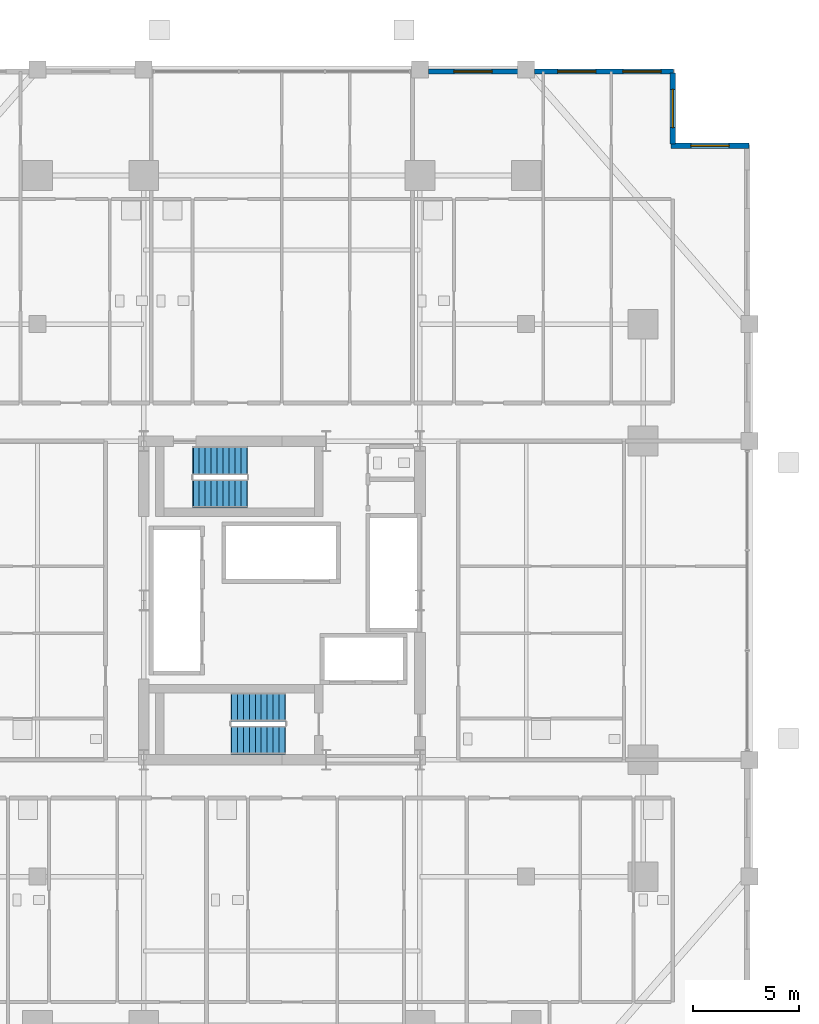
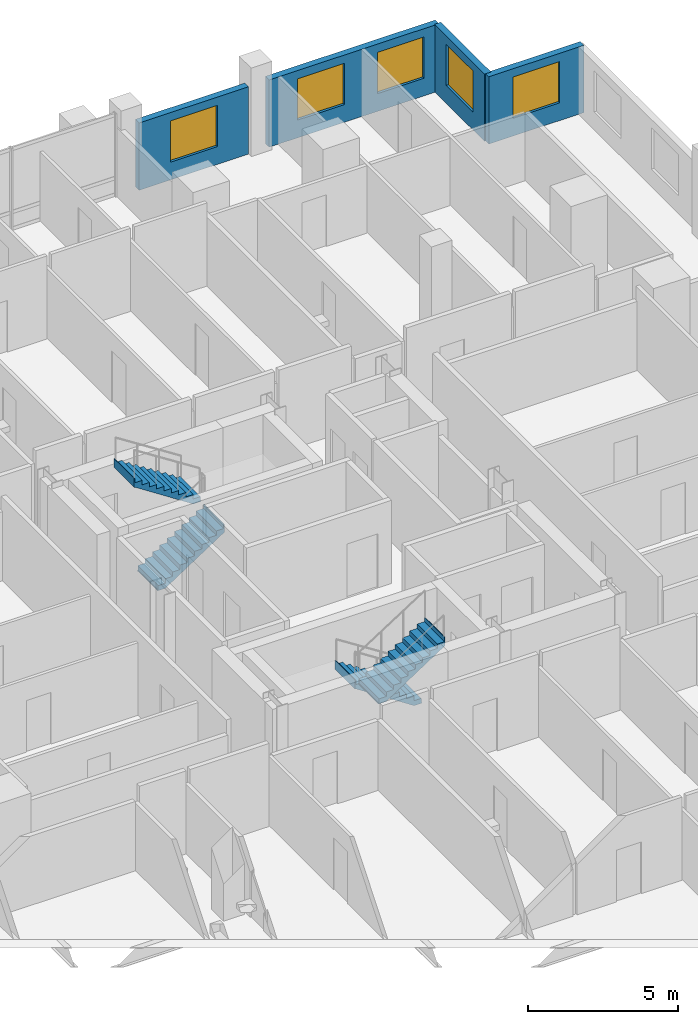
# One storey, part 22 of 24: 5 windows, 4 stair flights, 4 walls, 5 openings, 2 elements without a shape of their own.
"""IFC4 building model written with IfcOpenShell, lengths in metres."""

import ifcopenshell
import ifcopenshell.guid

model = None  # the IFC model being written
_history = None  # IfcOwnerHistory: only IFC2X3 demands one
_inside = {}  # id of a spatial element -> (the spatial element, [elements in it])
_under = {}  # id of a project, library or spatial element -> (it, [spatial elements below it])
_declared = {}  # id of a project -> (the project, [libraries it declares])
_typed = {}  # id of a type object -> (the type object, [elements of that type])
_made_of = {}  # id of a material, layer set ... -> (it, [elements and type objects made of it])


def new_model(schema):
    """Start an empty IFC model of exactly this schema.

    Asked for "IFC4X3", IfcOpenShell would pick the latest addendum, in which some entities
    have other attributes; the version numbers below select the first issue.
    IFC2X3 requires an IfcOwnerHistory on every rooted entity: one is made here for all.
    """
    global model, _history
    if schema == "IFC4X3":
        model = ifcopenshell.file(schema_version=(4, 3, 0, 0))
    else:
        model = ifcopenshell.file(schema=schema)
    _inside.clear()
    _under.clear()
    _declared.clear()
    _typed.clear()
    _made_of.clear()
    _history = None
    if model.schema == "IFC2X3":
        org = make("IfcOrganization", Name="unknown")
        user = make(
            "IfcPersonAndOrganization",
            ThePerson=make("IfcPerson", FamilyName="unknown"),
            TheOrganization=org,
        )
        app = make(
            "IfcApplication",
            ApplicationDeveloper=org,
            Version="unknown",
            ApplicationFullName="unknown",
            ApplicationIdentifier="unknown",
        )
        _history = make(
            "IfcOwnerHistory",
            OwningUser=user,
            OwningApplication=app,
            ChangeAction="ADDED",
            CreationDate=0,
        )
    return model


def make(cls, **values):
    """One entity of the class cls with the attributes given. An attribute that is None is left unset."""
    return model.create_entity(
        cls, **{name: value for name, value in values.items() if value is not None}
    )


def rooted(cls, **values):
    """An entity with a GlobalId (a new one), such as an element, a storey or a relation."""
    return make(cls, GlobalId=ifcopenshell.guid.new(), OwnerHistory=_history, **values)


def si_unit(unit_type, name, prefix=None):
    """IfcSIUnit, for example si_unit("LENGTHUNIT", "METRE", prefix="MILLI")."""
    return make("IfcSIUnit", UnitType=unit_type, Prefix=prefix, Name=name)


def assignment(units):
    """IfcUnitAssignment: the units of a project."""
    return None if units is None else make("IfcUnitAssignment", Units=units)


def point(xyz):
    """IfcCartesianPoint."""
    return None if xyz is None else make("IfcCartesianPoint", Coordinates=xyz)


def direction(xyz):
    """IfcDirection."""
    return None if xyz is None else make("IfcDirection", DirectionRatios=xyz)


def frame(location, z_axis=None, x_axis=None):
    """IfcAxis2Placement3D, a coordinate frame: its origin and axes. An axis left out is left unset."""
    return make(
        "IfcAxis2Placement3D",
        Location=point(location),
        Axis=direction(z_axis),
        RefDirection=direction(x_axis),
    )


def frame_2d(location, x_axis=None):
    """IfcAxis2Placement2D, a coordinate frame in the plane: its origin and x axis."""
    return make(
        "IfcAxis2Placement2D", Location=point(location), RefDirection=direction(x_axis)
    )


def origin():
    """The frame at (0, 0, 0) with its axes left unset."""
    return frame((0.0, 0.0, 0.0))


def place(relative_to, where):
    """IfcLocalPlacement: puts the frame where relative to a parent placement (None: the world)."""
    return make(
        "IfcLocalPlacement", PlacementRelTo=relative_to, RelativePlacement=where
    )


def context(
    kind, dimensions, precision=None, world=None, true_north=None, identifier=None
):
    """IfcGeometricRepresentationContext, for example the 3D "Model" context."""
    return make(
        "IfcGeometricRepresentationContext",
        ContextIdentifier=identifier,
        ContextType=kind,
        CoordinateSpaceDimension=dimensions,
        Precision=precision,
        WorldCoordinateSystem=world,
        TrueNorth=true_north,
    )


def subcontext(parent, identifier, kind, view, scale=None):
    """IfcGeometricRepresentationSubContext, for example "Body" below "Model"."""
    return make(
        "IfcGeometricRepresentationSubContext",
        ContextIdentifier=identifier,
        ContextType=kind,
        ParentContext=parent,
        TargetScale=scale,
        TargetView=view,
    )


def project(units=None, contexts=None):
    """IfcProject with its units and contexts."""
    return rooted(
        "IfcProject",
        Name="project",
        RepresentationContexts=contexts,
        UnitsInContext=assignment(units),
    )


def spatial(cls, under=None, at=None, **own):
    """A site, building, storey or space (cls), placed at a placement, below another one or the project."""
    s = rooted(cls, ObjectPlacement=at, **own)
    if under is not None:
        _under.setdefault(under.id(), (under, []))[1].append(s)
    return s


def polyline(points):
    """IfcPolyline through the points."""
    return make("IfcPolyline", Points=[point(p) for p in points])


def profile(cls, at=None, kind="AREA", **sizes):
    """A parametric profile (cls). Its sizes go by their IFC names, for example OverallWidth=200.0."""
    return make(cls, ProfileType=kind, Position=at, **sizes)


def rectangle(**sizes):
    """IfcRectangleProfileDef."""
    return profile("IfcRectangleProfileDef", **sizes)


def outline(outer, holes=None, kind="AREA"):
    """IfcArbitraryClosedProfileDef: a profile drawn as a closed curve; with holes, ...WithVoids."""
    if holes is None:
        return make("IfcArbitraryClosedProfileDef", ProfileType=kind, OuterCurve=outer)
    return make(
        "IfcArbitraryProfileDefWithVoids",
        ProfileType=kind,
        OuterCurve=outer,
        InnerCurves=holes,
    )


def extrude(swept, where, along, depth):
    """IfcExtrudedAreaSolid: the profile swept, set in the frame where, extruded along a direction by depth."""
    return make(
        "IfcExtrudedAreaSolid",
        SweptArea=swept,
        Position=where,
        ExtrudedDirection=direction(along),
        Depth=depth,
    )


def shape(context_of_items, identifier, shape_type, items):
    """IfcShapeRepresentation: the items that make up one representation, for example the "Body"."""
    return make(
        "IfcShapeRepresentation",
        ContextOfItems=context_of_items,
        RepresentationIdentifier=identifier,
        RepresentationType=shape_type,
        Items=items,
    )


def material(Name=None, Category=None):
    """IfcMaterial."""
    return make("IfcMaterial", Name=Name, Category=Category)


def layer(
    of_material, thickness, ventilated=None, Name=None, Category=None, Priority=None
):
    """IfcMaterialLayer: one layer of a wall or slab, of a material (None: an air gap)."""
    return make(
        "IfcMaterialLayer",
        Material=of_material,
        LayerThickness=thickness,
        IsVentilated=ventilated,
        Name=Name,
        Category=Category,
        Priority=Priority,
    )


def layer_set(layers, Name=None):
    """IfcMaterialLayerSet."""
    return make("IfcMaterialLayerSet", MaterialLayers=layers, LayerSetName=Name)


def made_of(thing, what):
    """Note that an element or type object is made of a material, layer set ...; save() writes the relation."""
    if what is not None:
        _made_of.setdefault(what.id(), (what, []))[1].append(thing)
    return thing


def type_object(cls, material=None, **own):
    """A type object (cls), such as IfcWallType, which elements share."""
    return made_of(rooted(cls, **own), material)


def element(
    cls,
    number,
    at=None,
    inside=None,
    cuts=None,
    type_object=None,
    material=None,
    context=None,
    identifier="Body",
    shape_type=None,
    held_by="IfcProductDefinitionShape",
    body=None,
    shapes=None,
    **own,
):
    """One element of the class cls, such as IfcWall. Its Tag is "e" and its number.

    at: its placement. inside: the storey or other place that contains it. cuts: it is an
    opening in that element (IfcRelVoidsElement). A single representation is given by context,
    identifier, shape_type and body (its items); several are given by shapes. held_by: the class
    of the entity that holds the representations. save() writes the other relations.
    """
    e = rooted(cls, Tag="e%d" % number, ObjectPlacement=at, **own)
    if body is not None:
        shapes = [shape(context, identifier, shape_type, body)]
    if shapes is not None:
        e.Representation = make(held_by, Representations=shapes)
    if inside is not None:
        _inside.setdefault(inside.id(), (inside, []))[1].append(e)
    if cuts is not None:
        rooted(
            "IfcRelVoidsElement", RelatingBuildingElement=cuts, RelatedOpeningElement=e
        )
    if type_object is not None:
        _typed.setdefault(type_object.id(), (type_object, []))[1].append(e)
    return made_of(e, material)


def fill(opening, filler):
    """IfcRelFillsElement: the door or window that sits in an opening."""
    return rooted(
        "IfcRelFillsElement",
        RelatingOpeningElement=opening,
        RelatedBuildingElement=filler,
    )


def aggregate(whole, parts):
    """IfcRelAggregates: a whole, such as a stair, and the parts it consists of."""
    return rooted("IfcRelAggregates", RelatingObject=whole, RelatedObjects=parts)


def save(model, path):
    """Write the relations noted so far, then the file.

    IfcRelAggregates (storeys below a building ...), IfcRelContainedInSpatialStructure (elements
    in a storey), IfcRelDefinesByType, IfcRelAssociatesMaterial and IfcRelDeclares: one each for
    every whole, place, type object, material and project.
    """
    for whole, parts in _under.values():
        aggregate(whole, parts)
    for where, things in _inside.values():
        rooted(
            "IfcRelContainedInSpatialStructure",
            RelatedElements=things,
            RelatingStructure=where,
        )
    for kind, things in _typed.values():
        rooted("IfcRelDefinesByType", RelatedObjects=things, RelatingType=kind)
    for what, things in _made_of.values():
        rooted("IfcRelAssociatesMaterial", RelatedObjects=things, RelatingMaterial=what)
    for by, libraries in _declared.values():
        rooted("IfcRelDeclares", RelatingContext=by, RelatedDefinitions=libraries)
    model.write(path)


model = new_model("IFC4")

# Units and contexts
model_context = context("Model", 3, precision=1e-05, world=origin(), true_north=direction((0.0, 1.0)))
body_context = subcontext(model_context, "Body", "Model", "MODEL_VIEW")
ifc_project = project(units=[si_unit("LENGTHUNIT", "METRE"), si_unit("AREAUNIT", "SQUARE_METRE"), si_unit("VOLUMEUNIT", "CUBIC_METRE"), si_unit("PLANEANGLEUNIT", "RADIAN"), si_unit("MASSUNIT", "GRAM", prefix="KILO")], contexts=[model_context])

# Site, building, storey
site_placement = place(None, origin())
site = spatial("IfcSite", under=ifc_project, at=site_placement, CompositionType="ELEMENT")
building_placement = place(site_placement, origin())
building = spatial("IfcBuilding", under=site, at=building_placement, Name="Barlavira Tower and Art Museum", CompositionType="ELEMENT")
storey_placement = place(building_placement, frame((0.0, 0.0, 43.199951171875)))
storey = spatial("IfcBuildingStorey", under=building, at=storey_placement, Name="L09", CompositionType="ELEMENT", Elevation=43.199951171875)

# Wall, openings, windows
ifc_material_1 = material(Name="Precast concrete C40", Category="concrete")
ifc_layer = layer(ifc_material_1, 0.25, Name="Precast concrete C40")
ifc_layer_set = layer_set([ifc_layer], Name="Precast concrete C40")
wall_type = type_object("IfcWallType", Name="Notched Corner Spandrel Wall 250 Precast Concrete C40", PredefinedType="SOLIDWALL", material=ifc_layer_set)
wall_1_placement = place(storey_placement, frame((18.425048828125, 24.89990234375, 0.0), z_axis=(0.0, 0.0, 1.0), x_axis=(-1.0, 0.0, 0.0)))
wall_1 = element("IfcWall", 1, at=wall_1_placement, inside=storey, type_object=wall_type, Name="L09 Coastal Facade Pier Wall CW1-L09-N-1", PredefinedType="SOLIDWALL", context=body_context, shape_type="SweptSolid", body=[
    extrude(rectangle(XDim=6.530029296875, YDim=0.25, at=frame_2d((3.26513671875, 0.0))), origin(), (0.0, 0.0, 1.0), 2.736083984375),
])
opening_1_placement = place(wall_1_placement, frame((0.572998046875, 0.0, 0.719970703125)))
opening_1 = element("IfcOpeningElement", 2, at=opening_1_placement, cuts=wall_1, Name="Opening WN-01", PredefinedType="OPENING", context=body_context, shape_type="SweptSolid", body=[
    extrude(rectangle(XDim=1.800048828125, YDim=1.679931640625, at=frame_2d((0.89990234375, 0.83984375))), frame((0.0, 0.135009765625, 0.0), z_axis=(0.0, -1.0, 0.0), x_axis=(1.0, 0.0, 0.0)), (0.0, 0.0, 1.0), 0.27001953125),
])
opening_2_placement = place(wall_1_placement, frame((3.639892578125, 0.0, 0.719970703125)))
opening_2 = element("IfcOpeningElement", 3, at=opening_2_placement, cuts=wall_1, Name="Opening WN-01", PredefinedType="OPENING", context=body_context, shape_type="SweptSolid", body=[
    extrude(rectangle(XDim=1.800048828125, YDim=1.679931640625, at=frame_2d((0.89990234375, 0.83984375))), frame((0.0, 0.135009765625, 0.0), z_axis=(0.0, -1.0, 0.0), x_axis=(1.0, 0.0, 0.0)), (0.0, 0.0, 1.0), 0.27001953125),
])
ifc_material_2 = material(Name="Low-iron coastal laminated glass", Category="glass")
window_type = type_object("IfcWindowType", Name="Recessed Notch Corner Punch Window 1800x1680", PartitioningType="SINGLE_PANEL", PredefinedType="WINDOW", material=ifc_material_2)
window_1_placement = place(opening_1_placement, origin())
window_1 = element("IfcWindow", 4, at=window_1_placement, inside=storey, type_object=window_type, Name="L09 Punched Facade Window EWP-CW1-L09-N-1-1", OverallHeight=1.679931640625, OverallWidth=1.800048828125, PartitioningType="SINGLE_PANEL", PredefinedType="WINDOW", context=body_context, shape_type="SweptSolid", body=[
    extrude(rectangle(XDim=1.800048828125, YDim=1.679931640625, at=frame_2d((0.89990234375, 0.83984375))), frame((0.0, 0.030029296875, 0.0), z_axis=(0.0, -1.0, 0.0), x_axis=(1.0, 0.0, 0.0)), (0.0, 0.0, 1.0), 0.06005859375),
])
fill(opening_1, window_1)
window_2_placement = place(opening_2_placement, origin())
window_2 = element("IfcWindow", 5, at=window_2_placement, inside=storey, type_object=window_type, Name="L09 Punched Facade Window EWP-CW1-L09-N-1-2", OverallHeight=1.679931640625, OverallWidth=1.800048828125, PartitioningType="SINGLE_PANEL", PredefinedType="WINDOW", context=body_context, shape_type="SweptSolid", body=[
    extrude(rectangle(XDim=1.800048828125, YDim=1.679931640625, at=frame_2d((0.89990234375, 0.83984375))), frame((0.0, 0.030029296875, 0.0), z_axis=(0.0, -1.0, 0.0), x_axis=(1.0, 0.0, 0.0)), (0.0, 0.0, 1.0), 0.06005859375),
])
fill(opening_2, window_2)

# Wall, opening, window
wall_2_placement = place(storey_placement, frame((11.10498046875, 24.89990234375, 0.0), z_axis=(0.0, 0.0, 1.0), x_axis=(-1.0, 0.0, 0.0)))
wall_2 = element("IfcWall", 6, at=wall_2_placement, inside=storey, type_object=wall_type, Name="L09 Coastal Facade Pier Wall CW1-L09-N-2", PredefinedType="SOLIDWALL", context=body_context, shape_type="SweptSolid", body=[
    extrude(rectangle(XDim=4.2099609375, YDim=0.25, at=frame_2d((2.10498046875, 0.0))), origin(), (0.0, 0.0, 1.0), 2.736083984375),
])
opening_3_placement = place(wall_2_placement, frame((1.205078125, 0.0, 0.719970703125)))
opening_3 = element("IfcOpeningElement", 7, at=opening_3_placement, cuts=wall_2, Name="Opening WN-01", PredefinedType="OPENING", context=body_context, shape_type="SweptSolid", body=[
    extrude(rectangle(XDim=1.800048828125, YDim=1.679931640625, at=frame_2d((0.89990234375, 0.83984375))), frame((0.0, 0.135009765625, 0.0), z_axis=(0.0, -1.0, 0.0), x_axis=(1.0, 0.0, 0.0)), (0.0, 0.0, 1.0), 0.27001953125),
])
window_3_placement = place(opening_3_placement, origin())
window_3 = element("IfcWindow", 8, at=window_3_placement, inside=storey, type_object=window_type, Name="L09 Punched Facade Window EWP-CW1-L09-N-2-1", OverallHeight=1.679931640625, OverallWidth=1.800048828125, PartitioningType="SINGLE_PANEL", PredefinedType="WINDOW", context=body_context, shape_type="SweptSolid", body=[
    extrude(rectangle(XDim=1.800048828125, YDim=1.679931640625, at=frame_2d((0.89990234375, 0.83984375))), frame((0.0, 0.030029296875, 0.0), z_axis=(0.0, -1.0, 0.0), x_axis=(1.0, 0.0, 0.0)), (0.0, 0.0, 1.0), 0.06005859375),
])
fill(opening_3, window_3)

wall_3_placement = place(storey_placement, frame((21.97998046875, 21.39990234375, 0.0), z_axis=(0.0, 0.0, 1.0), x_axis=(-1.0, 0.0, 0.0)))
wall_3 = element("IfcWall", 9, at=wall_3_placement, inside=storey, type_object=wall_type, Name="L09 Notch Corner Wall NE1", PredefinedType="SOLIDWALL", context=body_context, shape_type="SweptSolid", body=[
    extrude(rectangle(XDim=3.659912109375, YDim=0.25, at=frame_2d((1.830078125, 0.0))), origin(), (0.0, 0.0, 1.0), 2.736083984375),
])
opening_4_placement = place(wall_3_placement, frame((0.929931640625, 0.0, 0.719970703125)))
opening_4 = element("IfcOpeningElement", 10, at=opening_4_placement, cuts=wall_3, Name="Opening WN-01", PredefinedType="OPENING", context=body_context, shape_type="SweptSolid", body=[
    extrude(rectangle(XDim=1.800048828125, YDim=1.679931640625, at=frame_2d((0.89990234375, 0.83984375))), frame((0.0, 0.135009765625, 0.0), z_axis=(0.0, -1.0, 0.0), x_axis=(1.0, 0.0, 0.0)), (0.0, 0.0, 1.0), 0.27001953125),
])
window_4_placement = place(opening_4_placement, origin())
window_4 = element("IfcWindow", 11, at=window_4_placement, inside=storey, type_object=window_type, Name="L09 Punched Facade Window EW-NTC-L09-NE1-1", OverallHeight=1.679931640625, OverallWidth=1.800048828125, PartitioningType="SINGLE_PANEL", PredefinedType="WINDOW", context=body_context, shape_type="SweptSolid", body=[
    extrude(rectangle(XDim=1.800048828125, YDim=1.679931640625, at=frame_2d((0.89990234375, 0.83984375))), frame((0.0, 0.030029296875, 0.0), z_axis=(0.0, -1.0, 0.0), x_axis=(1.0, 0.0, 0.0)), (0.0, 0.0, 1.0), 0.06005859375),
])
fill(opening_4, window_4)

wall_4_placement = place(storey_placement, frame((18.39990234375, 21.47998046875, 0.0), z_axis=(0.0, 0.0, 1.0), x_axis=(0.0, 1.0, 0.0)))
wall_4 = element("IfcWall", 12, at=wall_4_placement, inside=storey, type_object=wall_type, Name="L09 Notch Corner Wall NE2", PredefinedType="SOLIDWALL", context=body_context, shape_type="SweptSolid", body=[
    extrude(rectangle(XDim=3.340087890625, YDim=0.25, at=frame_2d((1.669921875, 0.0))), origin(), (0.0, 0.0, 1.0), 2.736083984375),
])
opening_5_placement = place(wall_4_placement, frame((0.77001953125, 0.0, 0.719970703125)))
opening_5 = element("IfcOpeningElement", 13, at=opening_5_placement, cuts=wall_4, Name="Opening WN-01", PredefinedType="OPENING", context=body_context, shape_type="SweptSolid", body=[
    extrude(rectangle(XDim=1.800048828125, YDim=1.679931640625, at=frame_2d((0.89990234375, 0.83984375))), frame((0.0, 0.135009765625, 0.0), z_axis=(0.0, -1.0, 0.0), x_axis=(1.0, 0.0, 0.0)), (0.0, 0.0, 1.0), 0.27001953125),
])
window_5_placement = place(opening_5_placement, origin())
window_5 = element("IfcWindow", 14, at=window_5_placement, inside=storey, type_object=window_type, Name="L09 Punched Facade Window EW-NTC-L09-NE2-1", OverallHeight=1.679931640625, OverallWidth=1.800048828125, PartitioningType="SINGLE_PANEL", PredefinedType="WINDOW", context=body_context, shape_type="SweptSolid", body=[
    extrude(rectangle(XDim=1.800048828125, YDim=1.679931640625, at=frame_2d((0.89990234375, 0.83984375))), frame((0.0, 0.030029296875, 0.0), z_axis=(0.0, -1.0, 0.0), x_axis=(1.0, 0.0, 0.0)), (0.0, 0.0, 1.0), 0.06005859375),
])
fill(opening_5, window_5)

# Stair, stair flights
ifc_material_3 = material(Name="Concrete C45", Category="concrete")
stair_type_1 = type_object("IfcStairType", Name="Tower North Dog-Leg Exit Stair Assembly Concrete C45", PredefinedType="TWO_QUARTER_TURN_STAIR", material=ifc_material_3)
stair_1_placement = place(storey_placement, origin())
stair_1 = element("IfcStair", 15, at=stair_1_placement, inside=storey, type_object=stair_type_1, Name="L09 Tower North Exit Stair ST-T2", PredefinedType="TWO_QUARTER_TURN_STAIR")
ifc_material_4 = material(Name="Precast concrete C45", Category="concrete")
stair_flight_type_1 = type_object("IfcStairFlightType", Name="Tower North Dog-Leg Exit Stair Precast Flight 1350 Concrete C45", PredefinedType="STRAIGHT", material=ifc_material_4)
stair_flight_1_placement = place(storey_placement, frame((-4.169921875, 5.02490234375, 0.0), z_axis=(0.0, 0.0, 1.0), x_axis=(1.0, 0.0, 0.0)))
stair_flight_1 = element("IfcStairFlight", 16, at=stair_flight_1_placement, type_object=stair_flight_type_1, Name="ST-T2 flight 1", NumberOfRisers=10, NumberOfTreads=9, PredefinedType="STRAIGHT", RiserHeight=0.18, TreadLength=0.28, context=body_context, shape_type="SweptSolid", body=[
    extrude(outline(polyline([(-0.02490234375, 0.0), (0.0, 0.0), (0.0, 0.179931640625), (0.280029296875, 0.179931640625), (0.280029296875, 0.360107421875), (0.56005859375, 0.360107421875), (0.56005859375, 0.5400390625), (0.840087890625, 0.5400390625), (0.840087890625, 0.719970703125), (1.1201171875, 0.719970703125), (1.1201171875, 0.89990234375), (1.39990234375, 0.89990234375), (1.39990234375, 1.080078125), (1.679931640625, 1.080078125), (1.679931640625, 1.260009765625), (1.9599609375, 1.260009765625), (1.9599609375, 1.43994140625), (2.239990234375, 1.43994140625), (2.239990234375, 1.6201171875), (2.52001953125, 1.6201171875), (2.52001953125, 1.800048828125), (2.544921875, 1.800048828125), (2.544921875, 1.44189453125), (2.52001953125, 1.44189453125), (0.277099609375, -0.02490234375), (-0.02490234375, -0.02490234375), (-0.02490234375, 0.0)])), frame((0.0, 0.675048828125, 0.0), z_axis=(0.0, -1.0, 0.0), x_axis=(1.0, 0.0, 0.0)), (0.0, 0.0, 1.0), 1.35009765625),
])
stair_flight_2_placement = place(storey_placement, frame((-1.64990234375, 6.574951171875, 1.800048828125), z_axis=(0.0, 0.0, 1.0), x_axis=(-1.0, 0.0, 0.0)))
stair_flight_2 = element("IfcStairFlight", 17, at=stair_flight_2_placement, type_object=stair_flight_type_1, Name="ST-T2 flight 2", NumberOfRisers=10, NumberOfTreads=9, PredefinedType="STRAIGHT", RiserHeight=0.18, TreadLength=0.28, context=body_context, shape_type="SweptSolid", body=[
    extrude(outline(polyline([(-0.02490234375, 0.0), (0.0, 0.0), (0.0, 0.179931640625), (0.280029296875, 0.179931640625), (0.280029296875, 0.360107421875), (0.56005859375, 0.360107421875), (0.56005859375, 0.5400390625), (0.840087890625, 0.5400390625), (0.840087890625, 0.719970703125), (1.1201171875, 0.719970703125), (1.1201171875, 0.89990234375), (1.39990234375, 0.89990234375), (1.39990234375, 1.080078125), (1.679931640625, 1.080078125), (1.679931640625, 1.260009765625), (1.9599609375, 1.260009765625), (1.9599609375, 1.43994140625), (2.239990234375, 1.43994140625), (2.239990234375, 1.6201171875), (2.52001953125, 1.6201171875), (2.52001953125, 1.800048828125), (2.544921875, 1.800048828125), (2.544921875, 1.44189453125), (2.52001953125, 1.44189453125), (0.277099609375, -0.02490234375), (-0.02490234375, -0.02490234375), (-0.02490234375, 0.0)])), frame((0.0, 0.675048828125, 0.0), z_axis=(0.0, -1.0, 0.0), x_axis=(1.0, 0.0, 0.0)), (0.0, 0.0, 1.0), 1.35009765625),
])
aggregate(stair_1, [stair_flight_1, stair_flight_2])

stair_type_2 = type_object("IfcStairType", Name="Tower South Dog-Leg Exit Stair Assembly Concrete C45", PredefinedType="TWO_QUARTER_TURN_STAIR", material=ifc_material_3)
stair_2_placement = place(storey_placement, origin())
stair_2 = element("IfcStair", 18, at=stair_2_placement, inside=storey, type_object=stair_type_2, Name="L09 Tower South Exit Stair ST-T1", PredefinedType="TWO_QUARTER_TURN_STAIR")
stair_flight_type_2 = type_object("IfcStairFlightType", Name="Tower South Dog-Leg Exit Stair Precast Flight 1350 Concrete C45", PredefinedType="STRAIGHT", material=ifc_material_4)
stair_flight_3_placement = place(storey_placement, frame((0.14990234375, -5.02490234375, 0.0), z_axis=(0.0, 0.0, 1.0), x_axis=(-1.0, 0.0, 0.0)))
stair_flight_3 = element("IfcStairFlight", 19, at=stair_flight_3_placement, type_object=stair_flight_type_2, Name="ST-T1 flight 1", NumberOfRisers=10, NumberOfTreads=9, PredefinedType="STRAIGHT", RiserHeight=0.18, TreadLength=0.28, context=body_context, shape_type="SweptSolid", body=[
    extrude(outline(polyline([(-0.02490234375, 0.0), (0.0, 0.0), (0.0, 0.179931640625), (0.280029296875, 0.179931640625), (0.280029296875, 0.360107421875), (0.56005859375, 0.360107421875), (0.56005859375, 0.5400390625), (0.840087890625, 0.5400390625), (0.840087890625, 0.719970703125), (1.1201171875, 0.719970703125), (1.1201171875, 0.89990234375), (1.39990234375, 0.89990234375), (1.39990234375, 1.080078125), (1.679931640625, 1.080078125), (1.679931640625, 1.260009765625), (1.9599609375, 1.260009765625), (1.9599609375, 1.43994140625), (2.239990234375, 1.43994140625), (2.239990234375, 1.6201171875), (2.52001953125, 1.6201171875), (2.52001953125, 1.800048828125), (2.544921875, 1.800048828125), (2.544921875, 1.44189453125), (2.52001953125, 1.44189453125), (0.277099609375, -0.02490234375), (-0.02490234375, -0.02490234375), (-0.02490234375, 0.0)])), frame((0.0, 0.675048828125, 0.0), z_axis=(0.0, -1.0, 0.0), x_axis=(1.0, 0.0, 0.0)), (0.0, 0.0, 1.0), 1.35009765625),
])
stair_flight_4_placement = place(storey_placement, frame((-2.3701171875, -6.574951171875, 1.800048828125), z_axis=(0.0, 0.0, 1.0), x_axis=(1.0, 0.0, 0.0)))
stair_flight_4 = element("IfcStairFlight", 20, at=stair_flight_4_placement, type_object=stair_flight_type_2, Name="ST-T1 flight 2", NumberOfRisers=10, NumberOfTreads=9, PredefinedType="STRAIGHT", RiserHeight=0.18, TreadLength=0.28, context=body_context, shape_type="SweptSolid", body=[
    extrude(outline(polyline([(-0.02490234375, 0.0), (0.0, 0.0), (0.0, 0.179931640625), (0.280029296875, 0.179931640625), (0.280029296875, 0.360107421875), (0.56005859375, 0.360107421875), (0.56005859375, 0.5400390625), (0.840087890625, 0.5400390625), (0.840087890625, 0.719970703125), (1.1201171875, 0.719970703125), (1.1201171875, 0.89990234375), (1.39990234375, 0.89990234375), (1.39990234375, 1.080078125), (1.679931640625, 1.080078125), (1.679931640625, 1.260009765625), (1.9599609375, 1.260009765625), (1.9599609375, 1.43994140625), (2.239990234375, 1.43994140625), (2.239990234375, 1.6201171875), (2.52001953125, 1.6201171875), (2.52001953125, 1.800048828125), (2.544921875, 1.800048828125), (2.544921875, 1.44189453125), (2.52001953125, 1.44189453125), (0.277099609375, -0.02490234375), (-0.02490234375, -0.02490234375), (-0.02490234375, 0.0)])), frame((0.0, 0.675048828125, 0.0), z_axis=(0.0, -1.0, 0.0), x_axis=(1.0, 0.0, 0.0)), (0.0, 0.0, 1.0), 1.35009765625),
])
aggregate(stair_2, [stair_flight_3, stair_flight_4])

save(model, "model.ifc")
